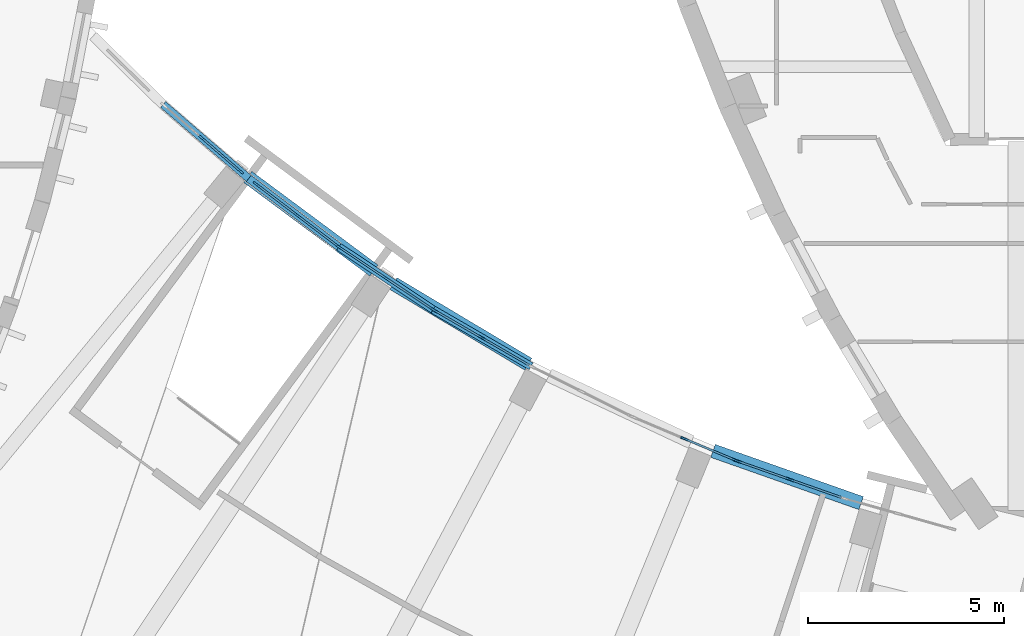
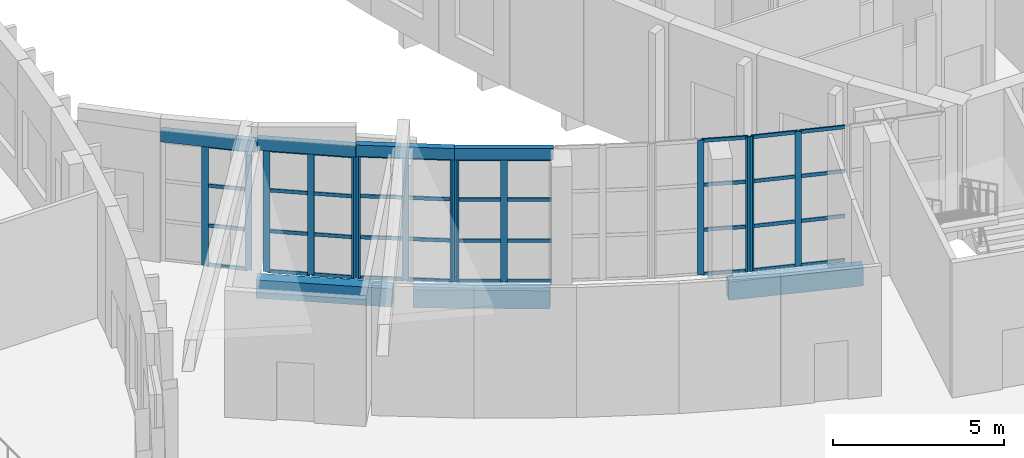
# One storey, part 10 of 93: 54 members, 7 beams, 6 elements without a shape of their own.
"""IFC4 building model written with IfcOpenShell, lengths in metres."""

from ifc_helpers import new_model, si_unit, direction, frame, origin, origin_2d, place, context, subcontext, project, spatial, rectangle, extrude, material, material_profile, profile_set, type_object, element, aggregate, save


model = new_model("IFC4")

# Units and contexts
model_context = context("Model", 3, precision=1e-05, world=origin(), true_north=direction((0.0, 1.0)))
body_context = subcontext(model_context, "Body", "Model", "MODEL_VIEW")
ifc_project = project(units=[si_unit("LENGTHUNIT", "METRE"), si_unit("AREAUNIT", "SQUARE_METRE"), si_unit("VOLUMEUNIT", "CUBIC_METRE"), si_unit("PLANEANGLEUNIT", "RADIAN"), si_unit("MASSUNIT", "GRAM", prefix="KILO")], contexts=[model_context])

# Site, building, storey
site_placement = place(None, origin())
site = spatial("IfcSite", under=ifc_project, at=site_placement, CompositionType="ELEMENT")
building_placement = place(site_placement, origin())
building = spatial("IfcBuilding", under=site, at=building_placement, Name="Tide Square Theatres", CompositionType="ELEMENT")
storey_placement = place(building_placement, frame((0.0, 0.0, 5.39990234375)))
storey = spatial("IfcBuildingStorey", under=building, at=storey_placement, Name="L01", CompositionType="ELEMENT", Elevation=5.39990234375)

# Curtain wall, members
ifc_material_1 = material(Name="Aluminium 6063-T5", Category="aluminium")
curtain_wall_type_1 = type_object("IfcCurtainWallType", Name="Unitised system curtain wall 4800 high", PredefinedType="USERDEFINED", material=ifc_material_1)
curtain_wall_1_placement = place(storey_placement, origin())
curtain_wall_1 = element("IfcCurtainWall", 1, at=curtain_wall_1_placement, inside=storey, type_object=curtain_wall_type_1, Name="Foyer inner curtain wall", ObjectType="UNITISED SYSTEM", PredefinedType="USERDEFINED")
ifc_material_2 = material(Name="Aluminium 6063-T5", Category="aluminium")
ifc_material_profile_1 = material_profile(ifc_material_2, rectangle(XDim=0.050048828125, YDim=0.199951171875, at=origin_2d()))
ifc_profile_set_1 = profile_set([ifc_material_profile_1], Name="Aluminium 6063-T5")
member_type_1 = type_object("IfcMemberType", Name="Aluminium mullion 50 x 200", PredefinedType="MULLION", material=ifc_profile_set_1)
member_1_placement = place(storey_placement, frame((68.74560546875, 24.494140625, 0.0), z_axis=(0.0, 0.0, 1.0), x_axis=(-0.330876191147, -0.943674173713, 0.0)))
member_1 = element("IfcMember", 2, at=member_1_placement, type_object=member_type_1, Name="CW-02 mullion 2", PredefinedType="MULLION", context=body_context, shape_type="SweptSolid", body=[
    extrude(rectangle(XDim=0.050048828125, YDim=0.199951171875, at=origin_2d()), origin(), (0.0, 0.0, 1.0), 4.800048828125),
])
member_2_placement = place(storey_placement, frame((67.410400390625, 24.96240234375, 0.0), z_axis=(0.0, 0.0, 1.0), x_axis=(-0.330876191147, -0.943674173713, 0.0)))
member_2 = element("IfcMember", 3, at=member_2_placement, type_object=member_type_1, Name="CW-02 mullion 3", PredefinedType="MULLION", context=body_context, shape_type="SweptSolid", body=[
    extrude(rectangle(XDim=0.050048828125, YDim=0.199951171875, at=origin_2d()), origin(), (0.0, 0.0, 1.0), 4.800048828125),
])

curtain_wall_2_placement = place(storey_placement, origin())
curtain_wall_2 = element("IfcCurtainWall", 4, at=curtain_wall_2_placement, inside=storey, type_object=curtain_wall_type_1, Name="Foyer inner curtain wall", ObjectType="UNITISED SYSTEM", PredefinedType="USERDEFINED")
member_3_placement = place(storey_placement, frame((67.36376953125, 24.98046875, 0.0), z_axis=(0.0, 0.0, 1.0), x_axis=(-0.389137043393, -0.92117987465, 0.0)))
member_3 = element("IfcMember", 5, at=member_3_placement, type_object=member_type_1, Name="CW-02 mullion 1", PredefinedType="MULLION", context=body_context, shape_type="SweptSolid", body=[
    extrude(rectangle(XDim=0.050048828125, YDim=0.199951171875, at=origin_2d()), origin(), (0.0, 0.0, 1.0), 4.800048828125),
])
member_4_placement = place(storey_placement, frame((66.06005859375, 25.531005859375, 0.0), z_axis=(0.0, 0.0, 1.0), x_axis=(-0.389137043393, -0.92117987465, 0.0)))
member_4 = element("IfcMember", 6, at=member_4_placement, type_object=member_type_1, Name="CW-02 mullion 2", PredefinedType="MULLION", context=body_context, shape_type="SweptSolid", body=[
    extrude(rectangle(XDim=0.050048828125, YDim=0.199951171875, at=origin_2d()), origin(), (0.0, 0.0, 1.0), 4.800048828125),
])

ifc_material_3 = material(Name="Aluminium 6063-T5", Category="aluminium")
curtain_wall_type_2 = type_object("IfcCurtainWallType", Name="Unitised system curtain wall 4600 high", PredefinedType="USERDEFINED", material=ifc_material_3)
curtain_wall_3_placement = place(storey_placement, origin())
curtain_wall_3 = element("IfcCurtainWall", 7, at=curtain_wall_3_placement, inside=storey, type_object=curtain_wall_type_2, Name="Foyer inner curtain wall", ObjectType="UNITISED SYSTEM", PredefinedType="USERDEFINED")
member_5_placement = place(storey_placement, frame((60.908935546875, 28.096923828125, 0.0), z_axis=(0.0, 0.0, 1.0), x_axis=(-0.500865183811, -0.865525313117, 0.0)))
member_5 = element("IfcMember", 8, at=member_5_placement, type_object=member_type_1, Name="CW-03 mullion 2", PredefinedType="MULLION", context=body_context, shape_type="SweptSolid", body=[
    extrude(rectangle(XDim=0.050048828125, YDim=0.199951171875, at=origin_2d()), origin(), (0.0, 0.0, 1.0), 4.400146484375),
])
member_6_placement = place(storey_placement, frame((59.68408203125, 28.8056640625, 0.0), z_axis=(0.0, 0.0, 1.0), x_axis=(-0.500865183811, -0.865525313117, 0.0)))
member_6 = element("IfcMember", 9, at=member_6_placement, type_object=member_type_1, Name="CW-03 mullion 3", PredefinedType="MULLION", context=body_context, shape_type="SweptSolid", body=[
    extrude(rectangle(XDim=0.050048828125, YDim=0.199951171875, at=origin_2d()), origin(), (0.0, 0.0, 1.0), 4.400146484375),
])

curtain_wall_4_placement = place(storey_placement, origin())
curtain_wall_4 = element("IfcCurtainWall", 10, at=curtain_wall_4_placement, inside=storey, type_object=curtain_wall_type_2, Name="Foyer inner curtain wall", ObjectType="UNITISED SYSTEM", PredefinedType="USERDEFINED")
member_7_placement = place(storey_placement, frame((59.6416015625, 28.83203125, 0.0), z_axis=(0.0, 0.0, 1.0), x_axis=(-0.553914754598, -0.832573386939, 0.0)))
member_7 = element("IfcMember", 11, at=member_7_placement, type_object=member_type_1, Name="CW-03 mullion 1", PredefinedType="MULLION", context=body_context, shape_type="SweptSolid", body=[
    extrude(rectangle(XDim=0.050048828125, YDim=0.199951171875, at=origin_2d()), origin(), (0.0, 0.0, 1.0), 4.400146484375),
])
member_8_placement = place(storey_placement, frame((58.46337890625, 29.615966796875, 0.0), z_axis=(0.0, 0.0, 1.0), x_axis=(-0.553914754598, -0.832573386939, 0.0)))
member_8 = element("IfcMember", 12, at=member_8_placement, type_object=member_type_1, Name="CW-03 mullion 2", PredefinedType="MULLION", context=body_context, shape_type="SweptSolid", body=[
    extrude(rectangle(XDim=0.050048828125, YDim=0.199951171875, at=origin_2d()), origin(), (0.0, 0.0, 1.0), 4.400146484375),
])
member_9_placement = place(storey_placement, frame((57.285400390625, 30.39990234375, 0.0), z_axis=(0.0, 0.0, 1.0), x_axis=(-0.553914754598, -0.832573386939, 0.0)))
member_9 = element("IfcMember", 13, at=member_9_placement, type_object=member_type_1, Name="CW-03 mullion 3", PredefinedType="MULLION", context=body_context, shape_type="SweptSolid", body=[
    extrude(rectangle(XDim=0.050048828125, YDim=0.199951171875, at=origin_2d()), origin(), (0.0, 0.0, 1.0), 4.400146484375),
])

curtain_wall_5_placement = place(storey_placement, origin())
curtain_wall_5 = element("IfcCurtainWall", 14, at=curtain_wall_5_placement, inside=storey, type_object=curtain_wall_type_2, Name="Foyer inner curtain wall", ObjectType="UNITISED SYSTEM", PredefinedType="USERDEFINED")
member_10_placement = place(storey_placement, frame((57.24462890625, 30.4287109375, 0.0), z_axis=(0.0, 0.0, 1.0), x_axis=(-0.60477382945, -0.796397272228, 0.0)))
member_10 = element("IfcMember", 15, at=member_10_placement, type_object=member_type_1, Name="CW-03 mullion 1", PredefinedType="MULLION", context=body_context, shape_type="SweptSolid", body=[
    extrude(rectangle(XDim=0.050048828125, YDim=0.199951171875, at=origin_2d()), origin(), (0.0, 0.0, 1.0), 4.36328125),
])
member_11_placement = place(storey_placement, frame((56.207275390625, 31.216552734375, 0.0), z_axis=(0.0, 0.0, 1.0), x_axis=(-0.60477382945, -0.796397272228, 0.0)))
member_11 = element("IfcMember", 16, at=member_11_placement, type_object=member_type_1, Name="CW-03 mullion 2", PredefinedType="MULLION", context=body_context, shape_type="SweptSolid", body=[
    extrude(rectangle(XDim=0.050048828125, YDim=0.199951171875, at=origin_2d()), origin(), (0.0, 0.0, 1.0), 4.36328125),
])
member_12_placement = place(storey_placement, frame((55.169921875, 32.00439453125, 0.0), z_axis=(0.0, 0.0, 1.0), x_axis=(-0.60477382945, -0.796397272228, 0.0)))
member_12 = element("IfcMember", 17, at=member_12_placement, type_object=member_type_1, Name="CW-03 mullion 3", PredefinedType="MULLION", context=body_context, shape_type="SweptSolid", body=[
    extrude(rectangle(XDim=0.050048828125, YDim=0.199951171875, at=origin_2d()), origin(), (0.0, 0.0, 1.0), 4.36328125),
])

curtain_wall_6_placement = place(storey_placement, origin())
curtain_wall_6 = element("IfcCurtainWall", 18, at=curtain_wall_6_placement, inside=storey, type_object=curtain_wall_type_2, Name="Foyer inner curtain wall", ObjectType="UNITISED SYSTEM", PredefinedType="USERDEFINED")
member_13_placement = place(storey_placement, frame((54.751220703125, 32.344970703125, 0.0), z_axis=(0.0, 0.0, 1.0), x_axis=(-0.653313198658, -0.757087752153, 0.0)))
member_13 = element("IfcMember", 19, at=member_13_placement, type_object=member_type_1, Name="CW-03 mullion 1", PredefinedType="MULLION", context=body_context, shape_type="SweptSolid", body=[
    extrude(rectangle(XDim=0.050048828125, YDim=0.199951171875, at=origin_2d()), origin(), (0.0, 0.0, 1.0), 4.281494140625),
])
member_14_placement = place(storey_placement, frame((53.780029296875, 33.18310546875, 0.0), z_axis=(0.0, 0.0, 1.0), x_axis=(-0.653313198658, -0.757087752153, 0.0)))
member_14 = element("IfcMember", 20, at=member_14_placement, type_object=member_type_1, Name="CW-03 mullion 2", PredefinedType="MULLION", context=body_context, shape_type="SweptSolid", body=[
    extrude(rectangle(XDim=0.050048828125, YDim=0.199951171875, at=origin_2d()), origin(), (0.0, 0.0, 1.0), 4.281494140625),
])

# Member
ifc_material_4 = material(Name="Aluminium 6063-T5", Category="aluminium")
ifc_material_profile_2 = material_profile(ifc_material_4, rectangle(XDim=0.050048828125, YDim=0.125, at=origin_2d()))
ifc_profile_set_2 = profile_set([ifc_material_profile_2], Name="Aluminium 6063-T5")
member_type_2 = type_object("IfcMemberType", Name="Aluminium transom 50 x 125", PredefinedType="USERDEFINED", material=ifc_profile_set_2)
member_15_placement = place(storey_placement, frame((70.0576171875, 24.0341796875, 0.025146484375), z_axis=(-0.943688163156, 0.330836289907, 0.0), x_axis=(-0.330836289907, -0.943688163156, 0.0)))
member_15 = element("IfcMember", 21, at=member_15_placement, type_object=member_type_2, Name="CW-02 transom 1.1", ObjectType="TRANSOM", PredefinedType="USERDEFINED", context=body_context, shape_type="SweptSolid", body=[
    extrude(rectangle(XDim=0.050048828125, YDim=0.125, at=origin_2d()), origin(), (0.0, 0.0, 1.0), 1.365234375),
])

member_16_placement = place(storey_placement, frame((70.0576171875, 24.0341796875, 1.60009765625), z_axis=(-0.943688163156, 0.330836289907, 0.0), x_axis=(-0.330836289907, -0.943688163156, 0.0)))
member_16 = element("IfcMember", 22, at=member_16_placement, type_object=member_type_2, Name="CW-02 transom 1.2", ObjectType="TRANSOM", PredefinedType="USERDEFINED", context=body_context, shape_type="SweptSolid", body=[
    extrude(rectangle(XDim=0.050048828125, YDim=0.125, at=origin_2d()), origin(), (0.0, 0.0, 1.0), 1.365234375),
])

member_17_placement = place(storey_placement, frame((70.0576171875, 24.0341796875, 3.2001953125), z_axis=(-0.943688163156, 0.330836289907, 0.0), x_axis=(-0.330836289907, -0.943688163156, 0.0)))
member_17 = element("IfcMember", 23, at=member_17_placement, type_object=member_type_2, Name="CW-02 transom 1.3", ObjectType="TRANSOM", PredefinedType="USERDEFINED", context=body_context, shape_type="SweptSolid", body=[
    extrude(rectangle(XDim=0.050048828125, YDim=0.125, at=origin_2d()), origin(), (0.0, 0.0, 1.0), 1.365234375),
])

member_18_placement = place(storey_placement, frame((70.0576171875, 24.0341796875, 4.775146484375), z_axis=(-0.943688163156, 0.330836289907, 0.0), x_axis=(-0.330836289907, -0.943688163156, 0.0)))
member_18 = element("IfcMember", 24, at=member_18_placement, type_object=member_type_2, Name="CW-02 transom 1.4", ObjectType="TRANSOM", PredefinedType="USERDEFINED", context=body_context, shape_type="SweptSolid", body=[
    extrude(rectangle(XDim=0.050048828125, YDim=0.125, at=origin_2d()), origin(), (0.0, 0.0, 1.0), 1.365234375),
])

member_19_placement = place(storey_placement, frame((68.72216796875, 24.50244140625, 0.025146484375), z_axis=(-0.943688163156, 0.330836289907, 0.0), x_axis=(-0.330836289907, -0.943688163156, 0.0)))
member_19 = element("IfcMember", 25, at=member_19_placement, type_object=member_type_2, Name="CW-02 transom 2.1", ObjectType="TRANSOM", PredefinedType="USERDEFINED", context=body_context, shape_type="SweptSolid", body=[
    extrude(rectangle(XDim=0.050048828125, YDim=0.125, at=origin_2d()), origin(), (0.0, 0.0, 1.0), 1.365234375),
])

member_20_placement = place(storey_placement, frame((68.72216796875, 24.50244140625, 1.60009765625), z_axis=(-0.943688163156, 0.330836289907, 0.0), x_axis=(-0.330836289907, -0.943688163156, 0.0)))
member_20 = element("IfcMember", 26, at=member_20_placement, type_object=member_type_2, Name="CW-02 transom 2.2", ObjectType="TRANSOM", PredefinedType="USERDEFINED", context=body_context, shape_type="SweptSolid", body=[
    extrude(rectangle(XDim=0.050048828125, YDim=0.125, at=origin_2d()), origin(), (0.0, 0.0, 1.0), 1.365234375),
])

member_21_placement = place(storey_placement, frame((68.72216796875, 24.50244140625, 3.2001953125), z_axis=(-0.943688163156, 0.330836289907, 0.0), x_axis=(-0.330836289907, -0.943688163156, 0.0)))
member_21 = element("IfcMember", 27, at=member_21_placement, type_object=member_type_2, Name="CW-02 transom 2.3", ObjectType="TRANSOM", PredefinedType="USERDEFINED", context=body_context, shape_type="SweptSolid", body=[
    extrude(rectangle(XDim=0.050048828125, YDim=0.125, at=origin_2d()), origin(), (0.0, 0.0, 1.0), 1.365234375),
])

member_22_placement = place(storey_placement, frame((68.72216796875, 24.50244140625, 4.775146484375), z_axis=(-0.943688163156, 0.330836289907, 0.0), x_axis=(-0.330836289907, -0.943688163156, 0.0)))
member_22 = element("IfcMember", 28, at=member_22_placement, type_object=member_type_2, Name="CW-02 transom 2.4", ObjectType="TRANSOM", PredefinedType="USERDEFINED", context=body_context, shape_type="SweptSolid", body=[
    extrude(rectangle(XDim=0.050048828125, YDim=0.125, at=origin_2d()), origin(), (0.0, 0.0, 1.0), 1.365234375),
])

aggregate(curtain_wall_1, [member_1, member_2, member_15, member_16, member_17, member_18, member_19, member_20, member_21, member_22])

member_23_placement = place(storey_placement, frame((67.340576171875, 24.990234375, 0.025146484375), z_axis=(-0.921176917227, 0.389144044241, 0.0), x_axis=(-0.389144044241, -0.921176917227, 0.0)))
member_23 = element("IfcMember", 29, at=member_23_placement, type_object=member_type_2, Name="CW-02 transom 1.1", ObjectType="TRANSOM", PredefinedType="USERDEFINED", context=body_context, shape_type="SweptSolid", body=[
    extrude(rectangle(XDim=0.050048828125, YDim=0.125, at=origin_2d()), origin(), (0.0, 0.0, 1.0), 1.365234375),
])

member_24_placement = place(storey_placement, frame((67.340576171875, 24.990234375, 1.60009765625), z_axis=(-0.921176917227, 0.389144044241, 0.0), x_axis=(-0.389144044241, -0.921176917227, 0.0)))
member_24 = element("IfcMember", 30, at=member_24_placement, type_object=member_type_2, Name="CW-02 transom 1.2", ObjectType="TRANSOM", PredefinedType="USERDEFINED", context=body_context, shape_type="SweptSolid", body=[
    extrude(rectangle(XDim=0.050048828125, YDim=0.125, at=origin_2d()), origin(), (0.0, 0.0, 1.0), 1.365234375),
])

member_25_placement = place(storey_placement, frame((67.340576171875, 24.990234375, 3.2001953125), z_axis=(-0.921176917227, 0.389144044241, 0.0), x_axis=(-0.389144044241, -0.921176917227, 0.0)))
member_25 = element("IfcMember", 31, at=member_25_placement, type_object=member_type_2, Name="CW-02 transom 1.3", ObjectType="TRANSOM", PredefinedType="USERDEFINED", context=body_context, shape_type="SweptSolid", body=[
    extrude(rectangle(XDim=0.050048828125, YDim=0.125, at=origin_2d()), origin(), (0.0, 0.0, 1.0), 1.365234375),
])

member_26_placement = place(storey_placement, frame((67.340576171875, 24.990234375, 4.775146484375), z_axis=(-0.921176917227, 0.389144044241, 0.0), x_axis=(-0.389144044241, -0.921176917227, 0.0)))
member_26 = element("IfcMember", 32, at=member_26_placement, type_object=member_type_2, Name="CW-02 transom 1.4", ObjectType="TRANSOM", PredefinedType="USERDEFINED", context=body_context, shape_type="SweptSolid", body=[
    extrude(rectangle(XDim=0.050048828125, YDim=0.125, at=origin_2d()), origin(), (0.0, 0.0, 1.0), 1.365234375),
])

aggregate(curtain_wall_2, [member_3, member_4, member_23, member_24, member_25, member_26])

member_27_placement = place(storey_placement, frame((62.112060546875, 27.400634765625, 0.025146484375), z_axis=(-0.865467099563, 0.500965766868, 0.0), x_axis=(-0.500965766868, -0.865467099563, 0.0)))
member_27 = element("IfcMember", 33, at=member_27_placement, type_object=member_type_2, Name="CW-03 transom 1.1", ObjectType="TRANSOM", PredefinedType="USERDEFINED", context=body_context, shape_type="SweptSolid", body=[
    extrude(rectangle(XDim=0.050048828125, YDim=0.125, at=origin_2d()), origin(), (0.0, 0.0, 1.0), 1.364990234375),
])

member_28_placement = place(storey_placement, frame((62.112060546875, 27.400634765625, 1.466796875), z_axis=(-0.865467099563, 0.500965766868, 0.0), x_axis=(-0.500965766868, -0.865467099563, 0.0)))
member_28 = element("IfcMember", 34, at=member_28_placement, type_object=member_type_2, Name="CW-03 transom 1.2", ObjectType="TRANSOM", PredefinedType="USERDEFINED", context=body_context, shape_type="SweptSolid", body=[
    extrude(rectangle(XDim=0.050048828125, YDim=0.125, at=origin_2d()), origin(), (0.0, 0.0, 1.0), 1.364990234375),
])

member_29_placement = place(storey_placement, frame((62.112060546875, 27.400634765625, 2.933349609375), z_axis=(-0.865467099563, 0.500965766868, 0.0), x_axis=(-0.500965766868, -0.865467099563, 0.0)))
member_29 = element("IfcMember", 35, at=member_29_placement, type_object=member_type_2, Name="CW-03 transom 1.3", ObjectType="TRANSOM", PredefinedType="USERDEFINED", context=body_context, shape_type="SweptSolid", body=[
    extrude(rectangle(XDim=0.050048828125, YDim=0.125, at=origin_2d()), origin(), (0.0, 0.0, 1.0), 1.364990234375),
])

member_30_placement = place(storey_placement, frame((62.112060546875, 27.400634765625, 4.375), z_axis=(-0.865467099563, 0.500965766868, 0.0), x_axis=(-0.500965766868, -0.865467099563, 0.0)))
member_30 = element("IfcMember", 36, at=member_30_placement, type_object=member_type_2, Name="CW-03 transom 1.4", ObjectType="TRANSOM", PredefinedType="USERDEFINED", context=body_context, shape_type="SweptSolid", body=[
    extrude(rectangle(XDim=0.050048828125, YDim=0.125, at=origin_2d()), origin(), (0.0, 0.0, 1.0), 1.364990234375),
])

member_31_placement = place(storey_placement, frame((60.88720703125, 28.109619140625, 0.025146484375), z_axis=(-0.865544641096, 0.500831782407, 0.0), x_axis=(-0.500831782407, -0.865544641096, 0.0)))
member_31 = element("IfcMember", 37, at=member_31_placement, type_object=member_type_2, Name="CW-03 transom 2.1", ObjectType="TRANSOM", PredefinedType="USERDEFINED", context=body_context, shape_type="SweptSolid", body=[
    extrude(rectangle(XDim=0.050048828125, YDim=0.125, at=origin_2d()), origin(), (0.0, 0.0, 1.0), 1.364990234375),
])

member_32_placement = place(storey_placement, frame((60.88720703125, 28.109619140625, 1.466796875), z_axis=(-0.865544641096, 0.500831782407, 0.0), x_axis=(-0.500831782407, -0.865544641096, 0.0)))
member_32 = element("IfcMember", 38, at=member_32_placement, type_object=member_type_2, Name="CW-03 transom 2.2", ObjectType="TRANSOM", PredefinedType="USERDEFINED", context=body_context, shape_type="SweptSolid", body=[
    extrude(rectangle(XDim=0.050048828125, YDim=0.125, at=origin_2d()), origin(), (0.0, 0.0, 1.0), 1.364990234375),
])

member_33_placement = place(storey_placement, frame((60.88720703125, 28.109619140625, 2.933349609375), z_axis=(-0.865544641096, 0.500831782407, 0.0), x_axis=(-0.500831782407, -0.865544641096, 0.0)))
member_33 = element("IfcMember", 39, at=member_33_placement, type_object=member_type_2, Name="CW-03 transom 2.3", ObjectType="TRANSOM", PredefinedType="USERDEFINED", context=body_context, shape_type="SweptSolid", body=[
    extrude(rectangle(XDim=0.050048828125, YDim=0.125, at=origin_2d()), origin(), (0.0, 0.0, 1.0), 1.364990234375),
])

member_34_placement = place(storey_placement, frame((60.88720703125, 28.109619140625, 4.375), z_axis=(-0.865544641096, 0.500831782407, 0.0), x_axis=(-0.500831782407, -0.865544641096, 0.0)))
member_34 = element("IfcMember", 40, at=member_34_placement, type_object=member_type_2, Name="CW-03 transom 2.4", ObjectType="TRANSOM", PredefinedType="USERDEFINED", context=body_context, shape_type="SweptSolid", body=[
    extrude(rectangle(XDim=0.050048828125, YDim=0.125, at=origin_2d()), origin(), (0.0, 0.0, 1.0), 1.364990234375),
])

aggregate(curtain_wall_3, [member_5, member_6, member_27, member_28, member_29, member_30, member_31, member_32, member_33, member_34])

member_35_placement = place(storey_placement, frame((59.620849609375, 28.845947265625, 0.025146484375), z_axis=(-0.832572733399, 0.553915736914, 0.0), x_axis=(-0.553915736914, -0.832572733399, 0.0)))
member_35 = element("IfcMember", 41, at=member_35_placement, type_object=member_type_2, Name="CW-03 transom 1.1", ObjectType="TRANSOM", PredefinedType="USERDEFINED", context=body_context, shape_type="SweptSolid", body=[
    extrude(rectangle(XDim=0.050048828125, YDim=0.125, at=origin_2d()), origin(), (0.0, 0.0, 1.0), 1.364990234375),
])

member_36_placement = place(storey_placement, frame((59.620849609375, 28.845947265625, 1.466796875), z_axis=(-0.832572733399, 0.553915736914, 0.0), x_axis=(-0.553915736914, -0.832572733399, 0.0)))
member_36 = element("IfcMember", 42, at=member_36_placement, type_object=member_type_2, Name="CW-03 transom 1.2", ObjectType="TRANSOM", PredefinedType="USERDEFINED", context=body_context, shape_type="SweptSolid", body=[
    extrude(rectangle(XDim=0.050048828125, YDim=0.125, at=origin_2d()), origin(), (0.0, 0.0, 1.0), 1.364990234375),
])

member_37_placement = place(storey_placement, frame((59.620849609375, 28.845947265625, 2.933349609375), z_axis=(-0.832572733399, 0.553915736914, 0.0), x_axis=(-0.553915736914, -0.832572733399, 0.0)))
member_37 = element("IfcMember", 43, at=member_37_placement, type_object=member_type_2, Name="CW-03 transom 1.3", ObjectType="TRANSOM", PredefinedType="USERDEFINED", context=body_context, shape_type="SweptSolid", body=[
    extrude(rectangle(XDim=0.050048828125, YDim=0.125, at=origin_2d()), origin(), (0.0, 0.0, 1.0), 1.364990234375),
])

member_38_placement = place(storey_placement, frame((59.620849609375, 28.845947265625, 4.375), z_axis=(-0.832572733399, 0.553915736914, 0.0), x_axis=(-0.553915736914, -0.832572733399, 0.0)))
member_38 = element("IfcMember", 44, at=member_38_placement, type_object=member_type_2, Name="CW-03 transom 1.4", ObjectType="TRANSOM", PredefinedType="USERDEFINED", context=body_context, shape_type="SweptSolid", body=[
    extrude(rectangle(XDim=0.050048828125, YDim=0.125, at=origin_2d()), origin(), (0.0, 0.0, 1.0), 1.364990234375),
])

member_39_placement = place(storey_placement, frame((58.442626953125, 29.6298828125, 0.025146484375), z_axis=(-0.832572733399, 0.553915736914, 0.0), x_axis=(-0.553915736914, -0.832572733399, 0.0)))
member_39 = element("IfcMember", 45, at=member_39_placement, type_object=member_type_2, Name="CW-03 transom 2.1", ObjectType="TRANSOM", PredefinedType="USERDEFINED", context=body_context, shape_type="SweptSolid", body=[
    extrude(rectangle(XDim=0.050048828125, YDim=0.125, at=origin_2d()), origin(), (0.0, 0.0, 1.0), 1.364990234375),
])

member_40_placement = place(storey_placement, frame((58.442626953125, 29.6298828125, 1.466796875), z_axis=(-0.832572733399, 0.553915736914, 0.0), x_axis=(-0.553915736914, -0.832572733399, 0.0)))
member_40 = element("IfcMember", 46, at=member_40_placement, type_object=member_type_2, Name="CW-03 transom 2.2", ObjectType="TRANSOM", PredefinedType="USERDEFINED", context=body_context, shape_type="SweptSolid", body=[
    extrude(rectangle(XDim=0.050048828125, YDim=0.125, at=origin_2d()), origin(), (0.0, 0.0, 1.0), 1.364990234375),
])

member_41_placement = place(storey_placement, frame((58.442626953125, 29.6298828125, 2.933349609375), z_axis=(-0.832572733399, 0.553915736914, 0.0), x_axis=(-0.553915736914, -0.832572733399, 0.0)))
member_41 = element("IfcMember", 47, at=member_41_placement, type_object=member_type_2, Name="CW-03 transom 2.3", ObjectType="TRANSOM", PredefinedType="USERDEFINED", context=body_context, shape_type="SweptSolid", body=[
    extrude(rectangle(XDim=0.050048828125, YDim=0.125, at=origin_2d()), origin(), (0.0, 0.0, 1.0), 1.364990234375),
])

member_42_placement = place(storey_placement, frame((58.442626953125, 29.6298828125, 4.375), z_axis=(-0.832572733399, 0.553915736914, 0.0), x_axis=(-0.553915736914, -0.832572733399, 0.0)))
member_42 = element("IfcMember", 48, at=member_42_placement, type_object=member_type_2, Name="CW-03 transom 2.4", ObjectType="TRANSOM", PredefinedType="USERDEFINED", context=body_context, shape_type="SweptSolid", body=[
    extrude(rectangle(XDim=0.050048828125, YDim=0.125, at=origin_2d()), origin(), (0.0, 0.0, 1.0), 1.364990234375),
])

aggregate(curtain_wall_4, [member_7, member_8, member_9, member_35, member_36, member_37, member_38, member_39, member_40, member_41, member_42])

member_43_placement = place(storey_placement, frame((57.224609375, 30.44384765625, 0.025146484375), z_axis=(-0.79638373204, 0.604791659452, 0.0), x_axis=(-0.604791659452, -0.79638373204, 0.0)))
member_43 = element("IfcMember", 49, at=member_43_placement, type_object=member_type_2, Name="CW-03 transom 1.1", ObjectType="TRANSOM", PredefinedType="USERDEFINED", context=body_context, shape_type="SweptSolid", body=[
    extrude(rectangle(XDim=0.050048828125, YDim=0.125, at=origin_2d()), origin(), (0.0, 0.0, 1.0), 1.252685546875),
])

member_44_placement = place(storey_placement, frame((57.224609375, 30.44384765625, 1.45458984375), z_axis=(-0.79638373204, 0.604791659452, 0.0), x_axis=(-0.604791659452, -0.79638373204, 0.0)))
member_44 = element("IfcMember", 50, at=member_44_placement, type_object=member_type_2, Name="CW-03 transom 1.2", ObjectType="TRANSOM", PredefinedType="USERDEFINED", context=body_context, shape_type="SweptSolid", body=[
    extrude(rectangle(XDim=0.050048828125, YDim=0.125, at=origin_2d()), origin(), (0.0, 0.0, 1.0), 1.252685546875),
])

member_45_placement = place(storey_placement, frame((57.224609375, 30.44384765625, 2.908935546875), z_axis=(-0.79638373204, 0.604791659452, 0.0), x_axis=(-0.604791659452, -0.79638373204, 0.0)))
member_45 = element("IfcMember", 51, at=member_45_placement, type_object=member_type_2, Name="CW-03 transom 1.3", ObjectType="TRANSOM", PredefinedType="USERDEFINED", context=body_context, shape_type="SweptSolid", body=[
    extrude(rectangle(XDim=0.050048828125, YDim=0.125, at=origin_2d()), origin(), (0.0, 0.0, 1.0), 1.252685546875),
])

member_46_placement = place(storey_placement, frame((57.224609375, 30.44384765625, 4.33837890625), z_axis=(-0.79638373204, 0.604791659452, 0.0), x_axis=(-0.604791659452, -0.79638373204, 0.0)))
member_46 = element("IfcMember", 52, at=member_46_placement, type_object=member_type_2, Name="CW-03 transom 1.4", ObjectType="TRANSOM", PredefinedType="USERDEFINED", context=body_context, shape_type="SweptSolid", body=[
    extrude(rectangle(XDim=0.050048828125, YDim=0.125, at=origin_2d()), origin(), (0.0, 0.0, 1.0), 1.252685546875),
])

member_47_placement = place(storey_placement, frame((56.187255859375, 31.231689453125, 0.025146484375), z_axis=(-0.79638373204, 0.604791659452, 0.0), x_axis=(-0.604791659452, -0.79638373204, 0.0)))
member_47 = element("IfcMember", 53, at=member_47_placement, type_object=member_type_2, Name="CW-03 transom 2.1", ObjectType="TRANSOM", PredefinedType="USERDEFINED", context=body_context, shape_type="SweptSolid", body=[
    extrude(rectangle(XDim=0.050048828125, YDim=0.125, at=origin_2d()), origin(), (0.0, 0.0, 1.0), 1.252685546875),
])

member_48_placement = place(storey_placement, frame((56.187255859375, 31.231689453125, 1.45458984375), z_axis=(-0.79638373204, 0.604791659452, 0.0), x_axis=(-0.604791659452, -0.79638373204, 0.0)))
member_48 = element("IfcMember", 54, at=member_48_placement, type_object=member_type_2, Name="CW-03 transom 2.2", ObjectType="TRANSOM", PredefinedType="USERDEFINED", context=body_context, shape_type="SweptSolid", body=[
    extrude(rectangle(XDim=0.050048828125, YDim=0.125, at=origin_2d()), origin(), (0.0, 0.0, 1.0), 1.252685546875),
])

member_49_placement = place(storey_placement, frame((56.187255859375, 31.231689453125, 2.908935546875), z_axis=(-0.79638373204, 0.604791659452, 0.0), x_axis=(-0.604791659452, -0.79638373204, 0.0)))
member_49 = element("IfcMember", 55, at=member_49_placement, type_object=member_type_2, Name="CW-03 transom 2.3", ObjectType="TRANSOM", PredefinedType="USERDEFINED", context=body_context, shape_type="SweptSolid", body=[
    extrude(rectangle(XDim=0.050048828125, YDim=0.125, at=origin_2d()), origin(), (0.0, 0.0, 1.0), 1.252685546875),
])

member_50_placement = place(storey_placement, frame((56.187255859375, 31.231689453125, 4.33837890625), z_axis=(-0.79638373204, 0.604791659452, 0.0), x_axis=(-0.604791659452, -0.79638373204, 0.0)))
member_50 = element("IfcMember", 56, at=member_50_placement, type_object=member_type_2, Name="CW-03 transom 2.4", ObjectType="TRANSOM", PredefinedType="USERDEFINED", context=body_context, shape_type="SweptSolid", body=[
    extrude(rectangle(XDim=0.050048828125, YDim=0.125, at=origin_2d()), origin(), (0.0, 0.0, 1.0), 1.252685546875),
])

aggregate(curtain_wall_5, [member_10, member_11, member_12, member_43, member_44, member_45, member_46, member_47, member_48, member_49, member_50])

member_51_placement = place(storey_placement, frame((54.732177734375, 32.361328125, 0.025146484375), z_axis=(-0.757001120183, 0.653413578097, 0.0), x_axis=(-0.653413578097, -0.757001120183, 0.0)))
member_51 = element("IfcMember", 57, at=member_51_placement, type_object=member_type_2, Name="CW-03 transom 1.1", ObjectType="TRANSOM", PredefinedType="USERDEFINED", context=body_context, shape_type="SweptSolid", body=[
    extrude(rectangle(XDim=0.050048828125, YDim=0.125, at=origin_2d()), origin(), (0.0, 0.0, 1.0), 1.232666015625),
])

member_52_placement = place(storey_placement, frame((54.732177734375, 32.361328125, 1.42724609375), z_axis=(-0.757001120183, 0.653413578097, 0.0), x_axis=(-0.653413578097, -0.757001120183, 0.0)))
member_52 = element("IfcMember", 58, at=member_52_placement, type_object=member_type_2, Name="CW-03 transom 1.2", ObjectType="TRANSOM", PredefinedType="USERDEFINED", context=body_context, shape_type="SweptSolid", body=[
    extrude(rectangle(XDim=0.050048828125, YDim=0.125, at=origin_2d()), origin(), (0.0, 0.0, 1.0), 1.232666015625),
])

member_53_placement = place(storey_placement, frame((54.732177734375, 32.361328125, 2.854248046875), z_axis=(-0.757001120183, 0.653413578097, 0.0), x_axis=(-0.653413578097, -0.757001120183, 0.0)))
member_53 = element("IfcMember", 59, at=member_53_placement, type_object=member_type_2, Name="CW-03 transom 1.3", ObjectType="TRANSOM", PredefinedType="USERDEFINED", context=body_context, shape_type="SweptSolid", body=[
    extrude(rectangle(XDim=0.050048828125, YDim=0.125, at=origin_2d()), origin(), (0.0, 0.0, 1.0), 1.232666015625),
])

member_54_placement = place(storey_placement, frame((54.732177734375, 32.361328125, 4.25634765625), z_axis=(-0.757001120183, 0.653413578097, 0.0), x_axis=(-0.653413578097, -0.757001120183, 0.0)))
member_54 = element("IfcMember", 60, at=member_54_placement, type_object=member_type_2, Name="CW-03 transom 1.4", ObjectType="TRANSOM", PredefinedType="USERDEFINED", context=body_context, shape_type="SweptSolid", body=[
    extrude(rectangle(XDim=0.050048828125, YDim=0.125, at=origin_2d()), origin(), (0.0, 0.0, 1.0), 1.232666015625),
])

aggregate(curtain_wall_6, [member_13, member_14, member_51, member_52, member_53, member_54])

# Beams
ifc_material_5 = material(Name="Concrete C35", Category="concrete")
ifc_material_profile_3 = material_profile(ifc_material_5, rectangle(XDim=0.199951171875, YDim=0.39990234375, at=origin_2d()))
ifc_profile_set_3 = profile_set([ifc_material_profile_3], Name="Concrete C35")
beam_type_1 = type_object("IfcBeamType", Name="RC beam 200 x 400", PredefinedType="BEAM", material=ifc_profile_set_3)
beam_1_placement = place(storey_placement, frame((62.155517578125, 27.375732421875, 4.60009765625), z_axis=(-0.865522991515, 0.500869195658, 0.0), x_axis=(-0.500869195658, -0.865522991515, 0.0)))
element("IfcBeam", 61, at=beam_1_placement, inside=storey, type_object=beam_type_1, Name="Foyer fascia head beam", PredefinedType="BEAM", context=body_context, shape_type="SweptSolid", body=[
    extrude(rectangle(XDim=0.199951171875, YDim=0.39990234375, at=origin_2d()), origin(), (0.0, 0.0, 1.0), 2.880126953125),
])
beam_2_placement = place(storey_placement, frame((59.66259765625, 28.818359375, 4.60009765625), z_axis=(-0.832584539561, 0.553897991045, 0.0), x_axis=(-0.553897991045, -0.832584539561, 0.0)))
element("IfcBeam", 62, at=beam_2_placement, inside=storey, type_object=beam_type_1, Name="Foyer fascia head beam", PredefinedType="BEAM", context=body_context, shape_type="SweptSolid", body=[
    extrude(rectangle(XDim=0.199951171875, YDim=0.39990234375, at=origin_2d()), origin(), (0.0, 0.0, 1.0), 2.88037109375),
])
beam_3_placement = place(storey_placement, frame((57.264404296875, 30.413818359375, 4.5634765625), z_axis=(-0.796415317135, 0.604750066253, 0.0), x_axis=(-0.604750066253, -0.796415317135, 0.0)))
element("IfcBeam", 63, at=beam_3_placement, inside=storey, type_object=beam_type_1, Name="Foyer fascia head beam", PredefinedType="BEAM", context=body_context, shape_type="SweptSolid", body=[
    extrude(rectangle(XDim=0.199951171875, YDim=0.39990234375, at=origin_2d()), origin(), (0.0, 0.0, 1.0), 2.880126953125),
])
beam_4_placement = place(storey_placement, frame((54.970703125, 32.155517578125, 4.4814453125), z_axis=(-0.757074522807, 0.653328529086, 0.0), x_axis=(-0.653328529086, -0.757074522807, 0.0)))
element("IfcBeam", 64, at=beam_4_placement, inside=storey, type_object=beam_type_1, Name="Foyer fascia head beam", PredefinedType="BEAM", context=body_context, shape_type="SweptSolid", body=[
    extrude(rectangle(XDim=0.199951171875, YDim=0.39990234375, at=origin_2d()), origin(), (0.0, 0.0, 1.0), 2.88037109375),
])
ifc_material_6 = material(Name="Concrete C35", Category="concrete")
ifc_material_profile_4 = material_profile(ifc_material_6, rectangle(XDim=0.35009765625, YDim=0.64990234375, at=origin_2d()))
ifc_profile_set_4 = profile_set([ifc_material_profile_4], Name="Concrete C35")
beam_type_2 = type_object("IfcBeamType", Name="RC spandrel beam 350 x 650", PredefinedType="SPANDREL", material=ifc_profile_set_4)
for number, where, z_axis, x_axis, name in (
    (65, (54.9443359375, 32.195068359375, -0.544921875), (0.803074462, -0.595878686046, 0.0), (0.595878686046, 0.803074462, 0.0), "Foyer inner spandrel beam"),
    (66, (58.653564453125, 29.47998046875, -0.544921875), (0.858412937605, -0.512959285472, 0.0), (0.512959285472, 0.858412937605, 0.0), "Foyer inner spandrel beam"),
):
    element("IfcBeam", number, at=place(storey_placement, frame(where, z_axis=z_axis, x_axis=x_axis)), inside=storey, type_object=beam_type_2, Name=name, PredefinedType="SPANDREL", context=body_context, shape_type="SweptSolid", body=[
        extrude(rectangle(XDim=0.35009765625, YDim=0.64990234375, at=origin_2d()), origin(), (0.0, 0.0, 1.0), 3.998046875),
    ])
beam_5_placement = place(storey_placement, frame((66.7880859375, 25.2216796875, -0.544921875), z_axis=(0.943044431613, -0.332666800274, 0.0), x_axis=(0.332666800274, 0.943044431613, 0.0)))
element("IfcBeam", 67, at=beam_5_placement, inside=storey, type_object=beam_type_2, Name="Foyer inner spandrel beam", PredefinedType="SPANDREL", context=body_context, shape_type="SweptSolid", body=[
    extrude(rectangle(XDim=0.35009765625, YDim=0.64990234375, at=origin_2d()), origin(), (0.0, 0.0, 1.0), 3.998291015625),
])

save(model, "model.ifc")
